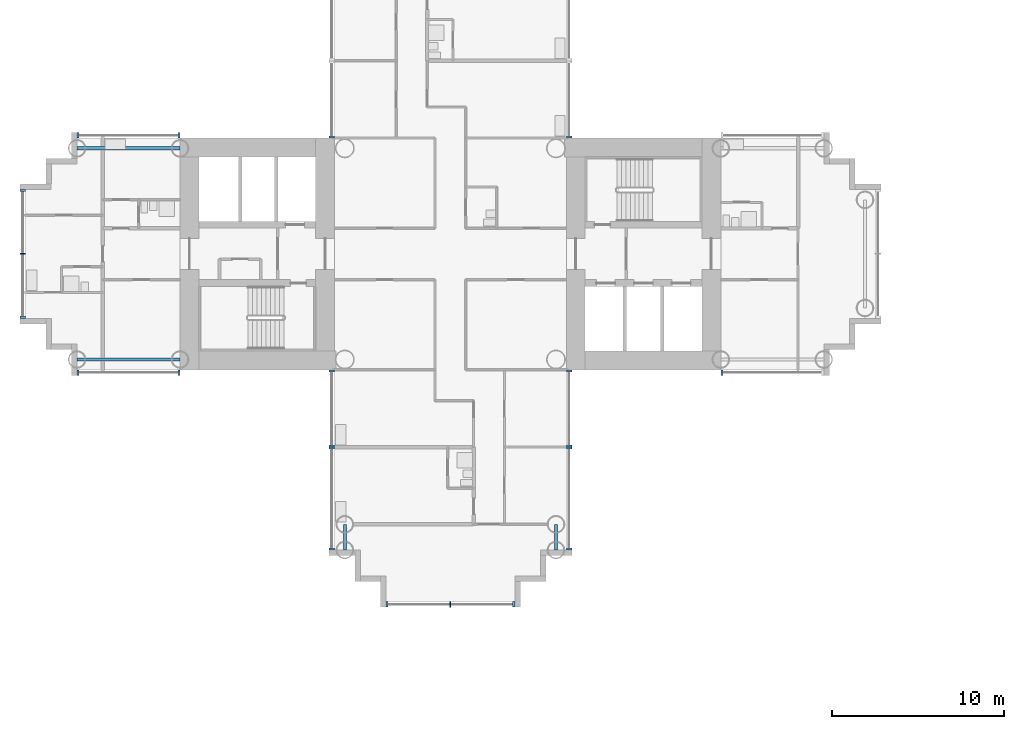
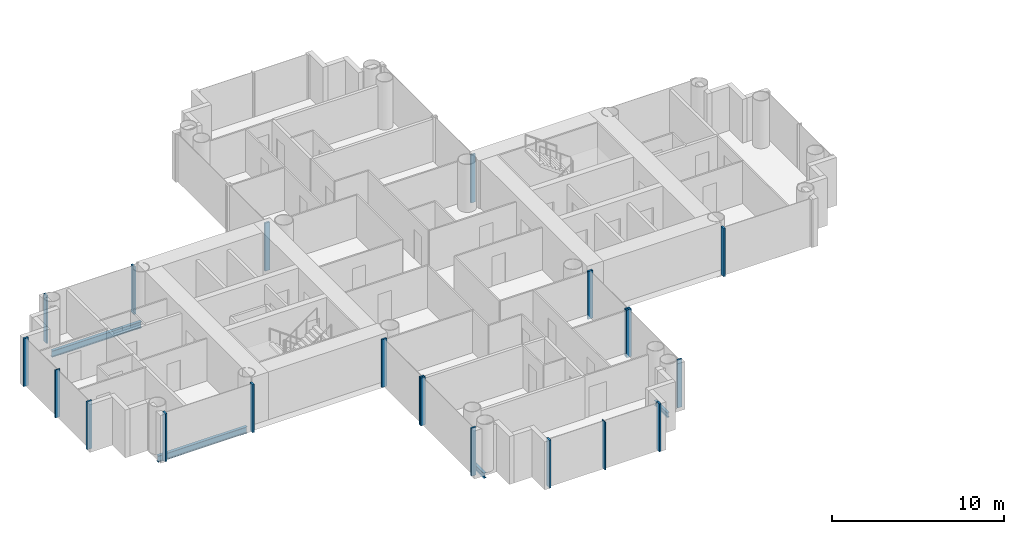
# One storey, part 3 of 21: 21 members, 4 beams, 11 elements without a shape of their own.
"""IFC4 building model written with IfcOpenShell, lengths in metres."""

from ifc_helpers import new_model, si_unit, direction, frame, origin, origin_2d, place, context, subcontext, project, spatial, rectangle, i_section, extrude, material, layer, layer_set, material_profile, profile_set, type_object, element, aggregate, save


model = new_model("IFC4")

# Units and contexts
model_context = context("Model", 3, precision=1e-05, world=origin(), true_north=direction((0.0, 1.0)))
body_context = subcontext(model_context, "Body", "Model", "MODEL_VIEW")
ifc_project = project(units=[si_unit("LENGTHUNIT", "METRE"), si_unit("AREAUNIT", "SQUARE_METRE"), si_unit("VOLUMEUNIT", "CUBIC_METRE"), si_unit("PLANEANGLEUNIT", "RADIAN"), si_unit("MASSUNIT", "GRAM", prefix="KILO")], contexts=[model_context])

# Site, building, storey
site_placement = place(None, origin())
site = spatial("IfcSite", under=ifc_project, at=site_placement, CompositionType="ELEMENT")
building_placement = place(site_placement, origin())
building = spatial("IfcBuilding", under=site, at=building_placement, Name="Ipe Terrace Towers", CompositionType="ELEMENT")
storey_placement = place(building_placement, frame((0.0, 0.0, 48.300048828125)))
storey = spatial("IfcBuildingStorey", under=building, at=storey_placement, Name="L12", CompositionType="ELEMENT", Elevation=48.300048828125)

# Beams
ifc_material_1 = material(Name="Steel S355", Category="steel")
ifc_material_profile_1 = material_profile(ifc_material_1, i_section(OverallWidth=0.175048828125, OverallDepth=0.35009765625, WebThickness=0.007080078125, FlangeThickness=0.010986328125, at=origin_2d()), Name="H-350x175x7x11")
ifc_profile_set_1 = profile_set([ifc_material_profile_1], Name="Steel S355")
beam_type_1 = type_object("IfcBeamType", Name="H04 EDGE BEAM H-350x175x7x11", PredefinedType="BEAM", material=ifc_profile_set_1)
for number, where, z_axis, x_axis, name in (
    (1, (-42.14990234375, -15.75, -0.574951171875), (0.0, -1.0, 0.0), (1.0, 0.0, 0.0), "Edge beam T1-EB-D03-D05"),
    (2, (-29.85009765625, -15.75, -0.574951171875), (0.0, -1.0, 0.0), (1.0, 0.0, 0.0), "Edge beam T1-EB-D04-D06"),
):
    element("IfcBeam", number, at=place(storey_placement, frame(where, z_axis=z_axis, x_axis=x_axis)), inside=storey, type_object=beam_type_1, Name=name, PredefinedType="BEAM", context=body_context, shape_type="SweptSolid", body=[
        extrude(i_section(OverallWidth=0.175048828125, OverallDepth=0.35009765625, WebThickness=0.007080078125, FlangeThickness=0.010986328125, at=origin_2d()), origin(), (0.0, 0.0, 1.0), 1.5),
    ])
ifc_material_2 = material(Name="Steel S355", Category="steel")
ifc_material_profile_2 = material_profile(ifc_material_2, i_section(OverallWidth=0.199951171875, OverallDepth=0.449951171875, WebThickness=0.009033203125, FlangeThickness=0.013916015625, at=origin_2d()), Name="H-450x200x9x14")
ifc_profile_set_2 = profile_set([ifc_material_profile_2], Name="Steel S355")
beam_type_2 = type_object("IfcBeamType", Name="H08 EDGE BEAM H-450x200x9x14", PredefinedType="BEAM", material=ifc_profile_set_2)
for number, where, z_axis, x_axis, name in (
    (3, (-51.75, -6.14990234375, -0.625), (-1.0, 0.0, 0.0), (0.0, -1.0, 0.0), "Edge beam T1-EB-C01-C03"),
    (4, (-51.75, 6.14990234375, -0.625), (-1.0, 0.0, 0.0), (0.0, -1.0, 0.0), "Edge beam T1-EB-C02-C04"),
):
    element("IfcBeam", number, at=place(storey_placement, frame(where, z_axis=z_axis, x_axis=x_axis)), inside=storey, type_object=beam_type_2, Name=name, PredefinedType="BEAM", context=body_context, shape_type="SweptSolid", body=[
        extrude(i_section(OverallWidth=0.199951171875, OverallDepth=0.449951171875, WebThickness=0.009033203125, FlangeThickness=0.013916015625, at=origin_2d()), origin(), (0.0, 0.0, 1.0), 6.0),
    ])

# Curtain wall, members
ifc_material_3 = material(Name="Aluminium alloy 6063-T6", Category="aluminium")
ifc_layer = layer(ifc_material_3, 0.320068359375)
ifc_layer_set = layer_set([ifc_layer], Name="TOWER UNITISED CURTAIN WALL")
curtain_wall_type = type_object("IfcCurtainWallType", Name="TOWER UNITISED CURTAIN WALL", PredefinedType="NOTDEFINED", material=ifc_layer_set)
curtain_wall_1_placement = place(storey_placement, origin())
curtain_wall_1 = element("IfcCurtainWall", 5, at=curtain_wall_1_placement, inside=storey, type_object=curtain_wall_type, Name="T1-CW-L12-04a curtain wall", PredefinedType="NOTDEFINED")
ifc_material_4 = material(Name="Aluminium alloy 6063-T6", Category="aluminium")
ifc_material_profile_3 = material_profile(ifc_material_4, rectangle(XDim=0.320068359375, YDim=0.1201171875, at=origin_2d()), Name="TOWER UNITISED CORNER MULLION 320 x 120")
ifc_profile_set_3 = profile_set([ifc_material_profile_3], Name="Aluminium alloy 6063-T6")
member_type_1 = type_object("IfcMemberType", Name="TOWER UNITISED CORNER MULLION 320 x 120", PredefinedType="MULLION", material=ifc_profile_set_3)
member_1_placement = place(storey_placement, frame((-57.68994140625, -6.909912109375, -0.300048828125), z_axis=(0.0, 0.0, 1.0), x_axis=(0.0, -1.0, 0.0)))
member_1 = element("IfcMember", 6, at=member_1_placement, type_object=member_type_1, Name="T1-CW-L12-04a mullion 1", PredefinedType="MULLION", context=body_context, shape_type="SweptSolid", body=[
    extrude(rectangle(XDim=0.320068359375, YDim=0.1201171875, at=origin_2d()), origin(), (0.0, 0.0, 1.0), 3.39990234375),
])
member_2_placement = place(storey_placement, frame((-51.81103515625, -6.909912109375, -0.300048828125), z_axis=(0.0, 0.0, 1.0), x_axis=(0.0, -1.0, 0.0)))
member_2 = element("IfcMember", 7, at=member_2_placement, type_object=member_type_1, Name="T1-CW-L12-04a mullion 2", PredefinedType="MULLION", context=body_context, shape_type="SweptSolid", body=[
    extrude(rectangle(XDim=0.320068359375, YDim=0.1201171875, at=origin_2d()), origin(), (0.0, 0.0, 1.0), 3.39990234375),
])
aggregate(curtain_wall_1, [member_1, member_2])

curtain_wall_2_placement = place(storey_placement, origin())
curtain_wall_2 = element("IfcCurtainWall", 8, at=curtain_wall_2_placement, inside=storey, type_object=curtain_wall_type, Name="T1-CW-L12-06a curtain wall", PredefinedType="NOTDEFINED")
member_3_placement = place(storey_placement, frame((-42.909912109375, -6.81005859375, -0.300048828125), z_axis=(0.0, 0.0, 1.0), x_axis=(-1.0, 0.0, 0.0)))
member_3 = element("IfcMember", 9, at=member_3_placement, type_object=member_type_1, Name="T1-CW-L12-06a mullion 1", PredefinedType="MULLION", context=body_context, shape_type="SweptSolid", body=[
    extrude(rectangle(XDim=0.320068359375, YDim=0.1201171875, at=origin_2d()), origin(), (0.0, 0.0, 1.0), 3.39990234375),
])
member_4_placement = place(storey_placement, frame((-42.909912109375, -11.18994140625, -0.300048828125), z_axis=(0.0, 0.0, 1.0), x_axis=(-1.0, 0.0, 0.0)))
member_4 = element("IfcMember", 10, at=member_4_placement, type_object=member_type_1, Name="T1-CW-L12-06a mullion 2", PredefinedType="MULLION", context=body_context, shape_type="SweptSolid", body=[
    extrude(rectangle(XDim=0.320068359375, YDim=0.1201171875, at=origin_2d()), origin(), (0.0, 0.0, 1.0), 3.39990234375),
])
aggregate(curtain_wall_2, [member_3, member_4])

curtain_wall_3_placement = place(storey_placement, origin())
curtain_wall_3 = element("IfcCurtainWall", 11, at=curtain_wall_3_placement, inside=storey, type_object=curtain_wall_type, Name="T1-CW-L12-07a curtain wall", PredefinedType="NOTDEFINED")
member_5_placement = place(storey_placement, frame((-42.909912109375, -11.31005859375, -0.300048828125), z_axis=(0.0, 0.0, 1.0), x_axis=(-1.0, 0.0, 0.0)))
member_5 = element("IfcMember", 12, at=member_5_placement, type_object=member_type_1, Name="T1-CW-L12-07a mullion 1", PredefinedType="MULLION", context=body_context, shape_type="SweptSolid", body=[
    extrude(rectangle(XDim=0.320068359375, YDim=0.1201171875, at=origin_2d()), origin(), (0.0, 0.0, 1.0), 3.39990234375),
])
member_6_placement = place(storey_placement, frame((-42.909912109375, -17.18994140625, -0.300048828125), z_axis=(0.0, 0.0, 1.0), x_axis=(-1.0, 0.0, 0.0)))
member_6 = element("IfcMember", 13, at=member_6_placement, type_object=member_type_1, Name="T1-CW-L12-07a mullion 2", PredefinedType="MULLION", context=body_context, shape_type="SweptSolid", body=[
    extrude(rectangle(XDim=0.320068359375, YDim=0.1201171875, at=origin_2d()), origin(), (0.0, 0.0, 1.0), 3.39990234375),
])
aggregate(curtain_wall_3, [member_5, member_6])

curtain_wall_4_placement = place(storey_placement, origin())
curtain_wall_4 = element("IfcCurtainWall", 14, at=curtain_wall_4_placement, inside=storey, type_object=curtain_wall_type, Name="T1-CW-L12-12a curtain wall", PredefinedType="NOTDEFINED")
member_7_placement = place(storey_placement, frame((-39.68994140625, -20.409912109375, -0.300048828125), z_axis=(0.0, 0.0, 1.0), x_axis=(0.0, -1.0, 0.0)))
member_7 = element("IfcMember", 15, at=member_7_placement, type_object=member_type_1, Name="T1-CW-L12-12a mullion 1", PredefinedType="MULLION", context=body_context, shape_type="SweptSolid", body=[
    extrude(rectangle(XDim=0.320068359375, YDim=0.1201171875, at=origin_2d()), origin(), (0.0, 0.0, 1.0), 3.39990234375),
])
member_8_placement = place(storey_placement, frame((-32.31005859375, -20.409912109375, -0.300048828125), z_axis=(0.0, 0.0, 1.0), x_axis=(0.0, -1.0, 0.0)))
member_8 = element("IfcMember", 16, at=member_8_placement, type_object=member_type_1, Name="T1-CW-L12-12a mullion 3", PredefinedType="MULLION", context=body_context, shape_type="SweptSolid", body=[
    extrude(rectangle(XDim=0.320068359375, YDim=0.1201171875, at=origin_2d()), origin(), (0.0, 0.0, 1.0), 3.39990234375),
])

curtain_wall_5_placement = place(storey_placement, origin())
curtain_wall_5 = element("IfcCurtainWall", 17, at=curtain_wall_5_placement, inside=storey, type_object=curtain_wall_type, Name="T1-CW-L12-17a curtain wall", PredefinedType="NOTDEFINED")
member_9_placement = place(storey_placement, frame((-29.090087890625, -17.18994140625, -0.300048828125), z_axis=(0.0, 0.0, 1.0), x_axis=(1.0, 0.0, 0.0)))
member_9 = element("IfcMember", 18, at=member_9_placement, type_object=member_type_1, Name="T1-CW-L12-17a mullion 1", PredefinedType="MULLION", context=body_context, shape_type="SweptSolid", body=[
    extrude(rectangle(XDim=0.320068359375, YDim=0.1201171875, at=origin_2d()), origin(), (0.0, 0.0, 1.0), 3.39990234375),
])
member_10_placement = place(storey_placement, frame((-29.090087890625, -11.31005859375, -0.300048828125), z_axis=(0.0, 0.0, 1.0), x_axis=(1.0, 0.0, 0.0)))
member_10 = element("IfcMember", 19, at=member_10_placement, type_object=member_type_1, Name="T1-CW-L12-17a mullion 2", PredefinedType="MULLION", context=body_context, shape_type="SweptSolid", body=[
    extrude(rectangle(XDim=0.320068359375, YDim=0.1201171875, at=origin_2d()), origin(), (0.0, 0.0, 1.0), 3.39990234375),
])
aggregate(curtain_wall_5, [member_9, member_10])

curtain_wall_6_placement = place(storey_placement, origin())
curtain_wall_6 = element("IfcCurtainWall", 20, at=curtain_wall_6_placement, inside=storey, type_object=curtain_wall_type, Name="T1-CW-L12-18a curtain wall", PredefinedType="NOTDEFINED")
member_11_placement = place(storey_placement, frame((-29.090087890625, -11.18994140625, -0.300048828125), z_axis=(0.0, 0.0, 1.0), x_axis=(1.0, 0.0, 0.0)))
member_11 = element("IfcMember", 21, at=member_11_placement, type_object=member_type_1, Name="T1-CW-L12-18a mullion 1", PredefinedType="MULLION", context=body_context, shape_type="SweptSolid", body=[
    extrude(rectangle(XDim=0.320068359375, YDim=0.1201171875, at=origin_2d()), origin(), (0.0, 0.0, 1.0), 3.39990234375),
])
member_12_placement = place(storey_placement, frame((-29.090087890625, -6.81005859375, -0.300048828125), z_axis=(0.0, 0.0, 1.0), x_axis=(1.0, 0.0, 0.0)))
member_12 = element("IfcMember", 22, at=member_12_placement, type_object=member_type_1, Name="T1-CW-L12-18a mullion 2", PredefinedType="MULLION", context=body_context, shape_type="SweptSolid", body=[
    extrude(rectangle(XDim=0.320068359375, YDim=0.1201171875, at=origin_2d()), origin(), (0.0, 0.0, 1.0), 3.39990234375),
])
aggregate(curtain_wall_6, [member_11, member_12])

# Curtain wall, member
curtain_wall_7_placement = place(storey_placement, origin())
curtain_wall_7 = element("IfcCurtainWall", 23, at=curtain_wall_7_placement, inside=storey, type_object=curtain_wall_type, Name="T1-CW-L12-20b curtain wall", PredefinedType="NOTDEFINED")
member_13_placement = place(storey_placement, frame((-20.18896484375, -6.909912109375, -0.300048828125), z_axis=(0.0, 0.0, 1.0), x_axis=(0.0, -1.0, 0.0)))
member_13 = element("IfcMember", 24, at=member_13_placement, type_object=member_type_1, Name="T1-CW-L12-20b mullion 1", PredefinedType="MULLION", context=body_context, shape_type="SweptSolid", body=[
    extrude(rectangle(XDim=0.320068359375, YDim=0.1201171875, at=origin_2d()), origin(), (0.0, 0.0, 1.0), 3.39990234375),
])
aggregate(curtain_wall_7, [member_13])

curtain_wall_8_placement = place(storey_placement, origin())
curtain_wall_8 = element("IfcCurtainWall", 25, at=curtain_wall_8_placement, inside=storey, type_object=curtain_wall_type, Name="T1-CW-L12-32a curtain wall", PredefinedType="NOTDEFINED")
member_14_placement = place(storey_placement, frame((-29.090087890625, 6.81005859375, -0.300048828125), z_axis=(0.0, 0.0, 1.0), x_axis=(1.0, 0.0, 0.0)))
member_14 = element("IfcMember", 26, at=member_14_placement, type_object=member_type_1, Name="T1-CW-L12-32a mullion 1", PredefinedType="MULLION", context=body_context, shape_type="SweptSolid", body=[
    extrude(rectangle(XDim=0.320068359375, YDim=0.1201171875, at=origin_2d()), origin(), (0.0, 0.0, 1.0), 3.39990234375),
])
aggregate(curtain_wall_8, [member_14])

curtain_wall_9_placement = place(storey_placement, origin())
curtain_wall_9 = element("IfcCurtainWall", 27, at=curtain_wall_9_placement, inside=storey, type_object=curtain_wall_type, Name="T1-CW-L12-44a curtain wall", PredefinedType="NOTDEFINED")
member_15_placement = place(storey_placement, frame((-42.909912109375, 6.81005859375, -0.300048828125), z_axis=(0.0, 0.0, 1.0), x_axis=(-1.0, 0.0, 0.0)))
member_15 = element("IfcMember", 28, at=member_15_placement, type_object=member_type_1, Name="T1-CW-L12-44a mullion 2", PredefinedType="MULLION", context=body_context, shape_type="SweptSolid", body=[
    extrude(rectangle(XDim=0.320068359375, YDim=0.1201171875, at=origin_2d()), origin(), (0.0, 0.0, 1.0), 3.39990234375),
])
aggregate(curtain_wall_9, [member_15])

# Curtain wall, members
curtain_wall_10_placement = place(storey_placement, origin())
curtain_wall_10 = element("IfcCurtainWall", 29, at=curtain_wall_10_placement, inside=storey, type_object=curtain_wall_type, Name="T1-CW-L12-46b curtain wall", PredefinedType="NOTDEFINED")
member_16_placement = place(storey_placement, frame((-51.81103515625, 6.909912109375, -0.300048828125), z_axis=(0.0, 0.0, 1.0), x_axis=(0.0, 1.0, 0.0)))
member_16 = element("IfcMember", 30, at=member_16_placement, type_object=member_type_1, Name="T1-CW-L12-46b mullion 1", PredefinedType="MULLION", context=body_context, shape_type="SweptSolid", body=[
    extrude(rectangle(XDim=0.320068359375, YDim=0.1201171875, at=origin_2d()), origin(), (0.0, 0.0, 1.0), 3.39990234375),
])
member_17_placement = place(storey_placement, frame((-57.68994140625, 6.909912109375, -0.300048828125), z_axis=(0.0, 0.0, 1.0), x_axis=(0.0, 1.0, 0.0)))
member_17 = element("IfcMember", 31, at=member_17_placement, type_object=member_type_1, Name="T1-CW-L12-46b mullion 2", PredefinedType="MULLION", context=body_context, shape_type="SweptSolid", body=[
    extrude(rectangle(XDim=0.320068359375, YDim=0.1201171875, at=origin_2d()), origin(), (0.0, 0.0, 1.0), 3.39990234375),
])
aggregate(curtain_wall_10, [member_16, member_17])

curtain_wall_11_placement = place(storey_placement, origin())
curtain_wall_11 = element("IfcCurtainWall", 32, at=curtain_wall_11_placement, inside=storey, type_object=curtain_wall_type, Name="T1-CW-L12-51a curtain wall", PredefinedType="NOTDEFINED")
member_18_placement = place(storey_placement, frame((-60.909912109375, 3.68994140625, -0.300048828125), z_axis=(0.0, 0.0, 1.0), x_axis=(-1.0, 0.0, 0.0)))
member_18 = element("IfcMember", 33, at=member_18_placement, type_object=member_type_1, Name="T1-CW-L12-51a mullion 1", PredefinedType="MULLION", context=body_context, shape_type="SweptSolid", body=[
    extrude(rectangle(XDim=0.320068359375, YDim=0.1201171875, at=origin_2d()), origin(), (0.0, 0.0, 1.0), 3.39990234375),
])
member_19_placement = place(storey_placement, frame((-60.909912109375, -3.68994140625, -0.300048828125), z_axis=(0.0, 0.0, 1.0), x_axis=(-1.0, 0.0, 0.0)))
member_19 = element("IfcMember", 34, at=member_19_placement, type_object=member_type_1, Name="T1-CW-L12-51a mullion 3", PredefinedType="MULLION", context=body_context, shape_type="SweptSolid", body=[
    extrude(rectangle(XDim=0.320068359375, YDim=0.1201171875, at=origin_2d()), origin(), (0.0, 0.0, 1.0), 3.39990234375),
])

# Member
ifc_material_5 = material(Name="Aluminium alloy 6063-T6", Category="aluminium")
ifc_material_profile_4 = material_profile(ifc_material_5, rectangle(XDim=0.320068359375, YDim=0.06494140625, at=origin_2d()), Name="TOWER UNITISED MULLION 320 x 65")
ifc_profile_set_4 = profile_set([ifc_material_profile_4], Name="Aluminium alloy 6063-T6")
member_type_2 = type_object("IfcMemberType", Name="TOWER UNITISED MULLION 320 x 65", PredefinedType="MULLION", material=ifc_profile_set_4)
member_20_placement = place(storey_placement, frame((-36.0, -20.409912109375, -0.300048828125), z_axis=(0.0, 0.0, 1.0), x_axis=(0.0, -1.0, 0.0)))
member_20 = element("IfcMember", 35, at=member_20_placement, type_object=member_type_2, Name="T1-CW-L12-12a mullion 2", PredefinedType="MULLION", context=body_context, shape_type="SweptSolid", body=[
    extrude(rectangle(XDim=0.320068359375, YDim=0.06494140625, at=origin_2d()), origin(), (0.0, 0.0, 1.0), 3.39990234375),
])

aggregate(curtain_wall_4, [member_7, member_20, member_8])

member_21_placement = place(storey_placement, frame((-60.909912109375, 0.0, -0.300048828125), z_axis=(0.0, 0.0, 1.0), x_axis=(-1.0, 0.0, 0.0)))
member_21 = element("IfcMember", 36, at=member_21_placement, type_object=member_type_2, Name="T1-CW-L12-51a mullion 2", PredefinedType="MULLION", context=body_context, shape_type="SweptSolid", body=[
    extrude(rectangle(XDim=0.320068359375, YDim=0.06494140625, at=origin_2d()), origin(), (0.0, 0.0, 1.0), 3.39990234375),
])

aggregate(curtain_wall_11, [member_18, member_21, member_19])

save(model, "model.ifc")
